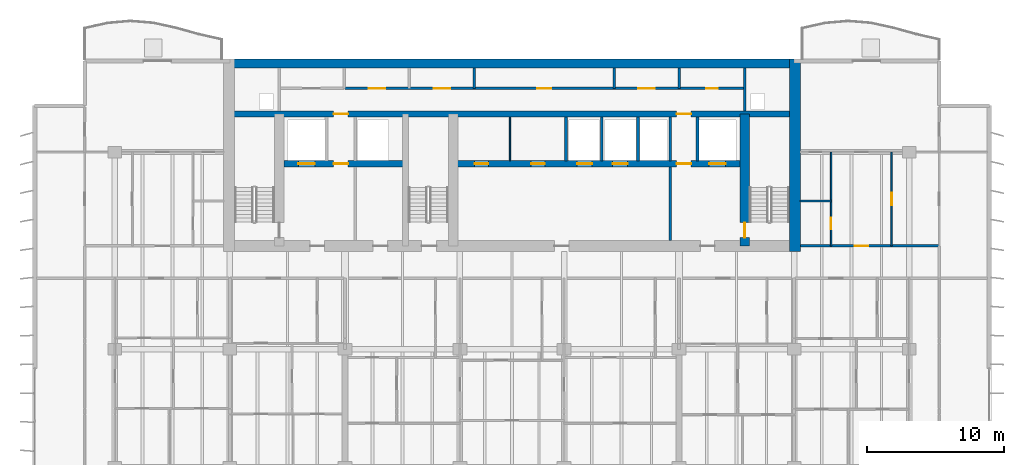
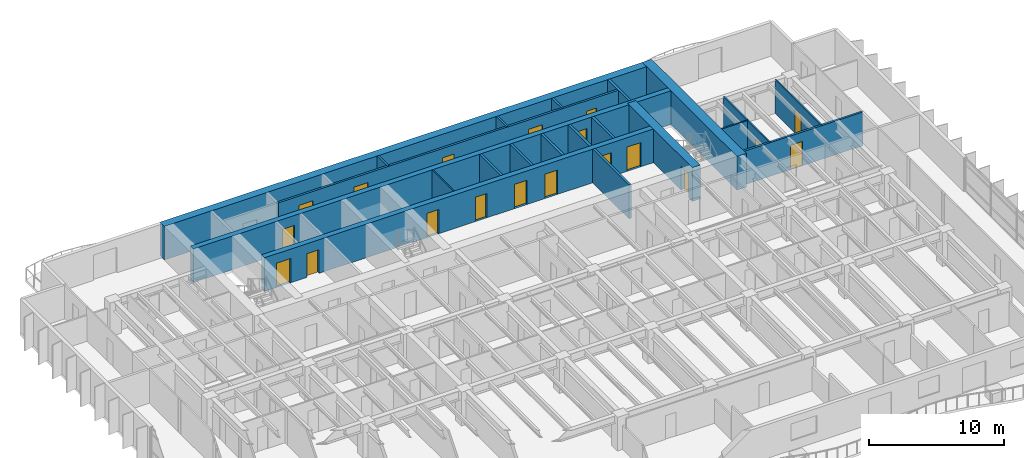
# One storey, part 11 of 17: 21 walls, 19 doors, 19 openings.
"""IFC4 building model written with IfcOpenShell, lengths in metres."""

from ifc_helpers import new_model, si_unit, direction, frame, frame_2d, origin, place, context, subcontext, project, spatial, rectangle, extrude, material, layer, layer_set, type_object, element, fill, save


model = new_model("IFC4")

# Units and contexts
model_context = context("Model", 3, precision=1e-05, world=origin(), true_north=direction((0.0, 1.0)))
body_context = subcontext(model_context, "Body", "Model", "MODEL_VIEW")
ifc_project = project(units=[si_unit("LENGTHUNIT", "METRE"), si_unit("AREAUNIT", "SQUARE_METRE"), si_unit("VOLUMEUNIT", "CUBIC_METRE"), si_unit("PLANEANGLEUNIT", "RADIAN"), si_unit("MASSUNIT", "GRAM", prefix="KILO")], contexts=[model_context])

# Site, building, storey
site_placement = place(None, origin())
site = spatial("IfcSite", under=ifc_project, at=site_placement, CompositionType="ELEMENT")
building_placement = place(site_placement, origin())
building = spatial("IfcBuilding", under=site, at=building_placement, Name="Caelmar Bay Residences", CompositionType="ELEMENT")
storey_placement = place(building_placement, frame((0.0, 0.0, 109.199951171875)))
storey = spatial("IfcBuildingStorey", under=building, at=storey_placement, Name="L29", CompositionType="ELEMENT", Elevation=109.199951171875)

# Wall, opening, door
ifc_material_1 = material(Name="Concrete f'c 55 MPa (8,000 psi)", Category="concrete")
ifc_layer_1 = layer(ifc_material_1, 0.699951171875)
ifc_layer_set_1 = layer_set([ifc_layer_1], Name="Concrete f'c 55 MPa (8,000 psi)")
wall_type_1 = type_object("IfcWallType", Name="SW-COR-700", PredefinedType="SHEAR", material=ifc_layer_set_1)
wall_1_placement = place(storey_placement, frame((55.89990234375, 36.949951171875, 0.0), z_axis=(0.0, 0.0, 1.0), x_axis=(0.0, 1.0, 0.0)))
wall_1 = element("IfcWall", 1, at=wall_1_placement, inside=storey, type_object=wall_type_1, Name="L29 Core Structural Web Wall ST2W", PredefinedType="SHEAR", context=body_context, shape_type="SweptSolid", body=[
    extrude(rectangle(XDim=9.625, YDim=0.699951171875, at=frame_2d((4.8125, 0.0))), origin(), (0.0, 0.0, 1.0), 3.050048828125),
])
opening_1_placement = place(wall_1_placement, frame((0.60009765625, 0.0, 0.0)))
opening_1 = element("IfcOpeningElement", 2, at=opening_1_placement, cuts=wall_1, Name="Opening D-L29-110", PredefinedType="OPENING", context=body_context, shape_type="SweptSolid", body=[
    extrude(rectangle(XDim=1.10009765625, YDim=2.14990234375, at=frame_2d((0.550048828125, 1.074951171875))), frame((0.0, 0.35986328125, 0.0), z_axis=(0.0, -1.0, 0.0), x_axis=(1.0, 0.0, 0.0)), (0.0, 0.0, 1.0), 0.719970703125),
])
ifc_material_2 = material(Name="Fire-rated steel and walnut architectural door assembly", Category="steel")
ifc_layer_2 = layer(ifc_material_2, 0.050048828125)
ifc_layer_set_2 = layer_set([ifc_layer_2], Name="Fire-rated steel and walnut architectural door assembly")
door_type_1 = type_object("IfcDoorType", Name="D-STAIR-1100", OperationType="NOTDEFINED", PredefinedType="DOOR", material=ifc_layer_set_2)
door_1_placement = place(opening_1_placement, origin())
door_1 = element("IfcDoor", 3, at=door_1_placement, inside=storey, type_object=door_type_1, Name="L29 Firefighting Lobby East Door", OperationType="SINGLE_SWING_RIGHT", OverallHeight=2.14990234375, OverallWidth=1.10009765625, PredefinedType="DOOR", context=body_context, shape_type="SweptSolid", body=[
    extrude(rectangle(XDim=1.10009765625, YDim=2.14990234375, at=frame_2d((0.550048828125, 1.074951171875))), frame((0.0, 0.02490234375, 0.0), z_axis=(0.0, -1.0, 0.0), x_axis=(1.0, 0.0, 0.0)), (0.0, 0.0, 1.0), 0.050048828125),
])
fill(opening_1, door_1)

# Walls
ifc_material_3 = material(Name="Concrete f'c 70 MPa (10,000 psi)", Category="concrete")
ifc_layer_3 = layer(ifc_material_3, 0.800048828125)
ifc_layer_set_3 = layer_set([ifc_layer_3], Name="Concrete f'c 70 MPa (10,000 psi)")
wall_type_2 = type_object("IfcWallType", Name="SW-COR-800", PredefinedType="SHEAR", material=ifc_layer_set_3)
wall_2_placement = place(storey_placement, frame((59.550048828125, 36.550048828125, 0.0), z_axis=(0.0, 0.0, 1.0), x_axis=(0.0, 1.0, 0.0)))
element("IfcWall", 4, at=wall_2_placement, inside=storey, type_object=wall_type_2, Name="L29 Rear Core East Shear Wall", PredefinedType="SHEAR", context=body_context, shape_type="SweptSolid", body=[
    extrude(rectangle(XDim=14.050048828125, YDim=0.800048828125, at=frame_2d((7.02490234375, 0.0))), origin(), (0.0, 0.0, 1.0), 3.050048828125),
])
ifc_layer_4 = layer(ifc_material_1, 0.64990234375)
ifc_layer_set_4 = layer_set([ifc_layer_4], Name="Concrete f'c 55 MPa (8,000 psi)")
wall_type_3 = type_object("IfcWallType", Name="SW-CORN-650", PredefinedType="SHEAR", material=ifc_layer_set_4)
wall_3_placement = place(storey_placement, frame((17.85009765625, 50.27490234375, 0.0), z_axis=(0.0, 0.0, 1.0), x_axis=(1.0, 0.0, 0.0)))
element("IfcWall", 5, at=wall_3_placement, inside=storey, type_object=wall_type_3, Name="L29 Rear Core North Shear Wall", PredefinedType="SHEAR", context=body_context, shape_type="SweptSolid", body=[
    extrude(rectangle(XDim=42.099853515625, YDim=0.64990234375, at=frame_2d((21.0498046875, 0.0))), origin(), (0.0, 0.0, 1.0), 3.050048828125),
])

# Wall, openings, doors
ifc_layer_5 = layer(ifc_material_3, 0.449951171875)
ifc_layer_set_5 = layer_set([ifc_layer_5], Name="Concrete f'c 70 MPa (10,000 psi)")
wall_type_4 = type_object("IfcWallType", Name="SW-WEB-450", PredefinedType="SHEAR", material=ifc_layer_set_5)
wall_4_placement = place(storey_placement, frame((22.25, 42.949951171875, 0.0), z_axis=(0.0, 0.0, 1.0), x_axis=(1.0, 0.0, 0.0)))
wall_4 = element("IfcWall", 6, at=wall_4_placement, inside=storey, type_object=wall_type_4, Name="L29 Core Structural Web Wall LFR", PredefinedType="SHEAR", context=body_context, shape_type="SweptSolid", body=[
    extrude(rectangle(XDim=33.300048828125, YDim=0.449951171875, at=frame_2d((16.64990234375, 0.0))), origin(), (0.0, 0.0, 1.0), 3.050048828125),
])
opening_2_placement = place(wall_4_placement, frame((1.050048828125, 0.0, 0.0)))
opening_2 = element("IfcOpeningElement", 7, at=opening_2_placement, cuts=wall_4, Name="Opening LD2", PredefinedType="OPENING", context=body_context, shape_type="SweptSolid", body=[
    extrude(rectangle(XDim=1.199951171875, YDim=2.199951171875, at=frame_2d((0.60009765625, 1.10009765625))), frame((0.0, 0.23486328125, 0.0), z_axis=(0.0, -1.0, 0.0), x_axis=(1.0, 0.0, 0.0)), (0.0, 0.0, 1.0), 0.469970703125),
])
opening_3_placement = place(wall_4_placement, frame((31.050048828125, 0.0, 0.0)))
opening_3 = element("IfcOpeningElement", 8, at=opening_3_placement, cuts=wall_4, Name="Opening LD2", PredefinedType="OPENING", context=body_context, shape_type="SweptSolid", body=[
    extrude(rectangle(XDim=1.199951171875, YDim=2.199951171875, at=frame_2d((0.60009765625, 1.10009765625))), frame((0.0, 0.23486328125, 0.0), z_axis=(0.0, -1.0, 0.0), x_axis=(1.0, 0.0, 0.0)), (0.0, 0.0, 1.0), 0.469970703125),
])
opening_4_placement = place(wall_4_placement, frame((21.39990234375, 0.0, 0.0)))
opening_4 = element("IfcOpeningElement", 9, at=opening_4_placement, cuts=wall_4, Name="Opening LD1", PredefinedType="OPENING", context=body_context, shape_type="SweptSolid", body=[
    extrude(rectangle(XDim=1.10009765625, YDim=2.199951171875, at=frame_2d((0.550048828125, 1.10009765625))), frame((0.0, 0.23486328125, 0.0), z_axis=(0.0, -1.0, 0.0), x_axis=(1.0, 0.0, 0.0)), (0.0, 0.0, 1.0), 0.469970703125),
])
opening_5_placement = place(wall_4_placement, frame((24.0, 0.0, 0.0)))
opening_5 = element("IfcOpeningElement", 10, at=opening_5_placement, cuts=wall_4, Name="Opening LD1", PredefinedType="OPENING", context=body_context, shape_type="SweptSolid", body=[
    extrude(rectangle(XDim=1.10009765625, YDim=2.199951171875, at=frame_2d((0.550048828125, 1.10009765625))), frame((0.0, 0.23486328125, 0.0), z_axis=(0.0, -1.0, 0.0), x_axis=(1.0, 0.0, 0.0)), (0.0, 0.0, 1.0), 0.469970703125),
])
opening_6_placement = place(wall_4_placement, frame((3.625, 0.0, 0.0)))
opening_6 = element("IfcOpeningElement", 11, at=opening_6_placement, cuts=wall_4, Name="Opening D-L29-108", PredefinedType="OPENING", context=body_context, shape_type="SweptSolid", body=[
    extrude(rectangle(XDim=1.050048828125, YDim=2.14990234375, at=frame_2d((0.52490234375, 1.074951171875))), frame((0.0, 0.23486328125, 0.0), z_axis=(0.0, -1.0, 0.0), x_axis=(1.0, 0.0, 0.0)), (0.0, 0.0, 1.0), 0.469970703125),
])
opening_7_placement = place(wall_4_placement, frame((28.675048828125, 0.0, 0.0)))
opening_7 = element("IfcOpeningElement", 12, at=opening_7_placement, cuts=wall_4, Name="Opening D-L29-111", PredefinedType="OPENING", context=body_context, shape_type="SweptSolid", body=[
    extrude(rectangle(XDim=1.050048828125, YDim=2.14990234375, at=frame_2d((0.52490234375, 1.074951171875))), frame((0.0, 0.23486328125, 0.0), z_axis=(0.0, -1.0, 0.0), x_axis=(1.0, 0.0, 0.0)), (0.0, 0.0, 1.0), 0.469970703125),
])
opening_8_placement = place(wall_4_placement, frame((13.925048828125, 0.0, 0.0)))
opening_8 = element("IfcOpeningElement", 13, at=opening_8_placement, cuts=wall_4, Name="Opening D-L29-114", PredefinedType="OPENING", context=body_context, shape_type="SweptSolid", body=[
    extrude(rectangle(XDim=1.0, YDim=2.199951171875, at=frame_2d((0.5, 1.10009765625))), frame((0.0, 0.23486328125, 0.0), z_axis=(0.0, -1.0, 0.0), x_axis=(1.0, 0.0, 0.0)), (0.0, 0.0, 1.0), 0.469970703125),
])
opening_9_placement = place(wall_4_placement, frame((18.050048828125, 0.0, 0.0)))
opening_9 = element("IfcOpeningElement", 14, at=opening_9_placement, cuts=wall_4, Name="Opening D-L29-115", PredefinedType="OPENING", context=body_context, shape_type="SweptSolid", body=[
    extrude(rectangle(XDim=1.0, YDim=2.199951171875, at=frame_2d((0.5, 1.10009765625))), frame((0.0, 0.23486328125, 0.0), z_axis=(0.0, -1.0, 0.0), x_axis=(1.0, 0.0, 0.0)), (0.0, 0.0, 1.0), 0.469970703125),
])
ifc_layer_6 = layer(ifc_material_2, 0.050048828125)
ifc_layer_set_6 = layer_set([ifc_layer_6], Name="Fire-rated steel and walnut architectural door assembly")
door_type_2 = type_object("IfcDoorType", Name="D-FSAE-1050", OperationType="NOTDEFINED", PredefinedType="DOOR", material=ifc_layer_set_6)
door_2_placement = place(opening_6_placement, origin())
door_2 = element("IfcDoor", 15, at=door_2_placement, inside=storey, type_object=door_type_2, Name="L29 Firefighting Lobby West Door", OperationType="SINGLE_SWING_RIGHT", OverallHeight=2.14990234375, OverallWidth=1.050048828125, PredefinedType="DOOR", context=body_context, shape_type="SweptSolid", body=[
    extrude(rectangle(XDim=1.050048828125, YDim=2.14990234375, at=frame_2d((0.52490234375, 1.074951171875))), frame((0.0, 0.02490234375, 0.0), z_axis=(0.0, -1.0, 0.0), x_axis=(1.0, 0.0, 0.0)), (0.0, 0.0, 1.0), 0.050048828125),
])
fill(opening_6, door_2)
door_3_placement = place(opening_7_placement, origin())
door_3 = element("IfcDoor", 16, at=door_3_placement, inside=storey, type_object=door_type_2, Name="L29 Firefighting Lobby East Door", OperationType="SINGLE_SWING_LEFT", OverallHeight=2.14990234375, OverallWidth=1.050048828125, PredefinedType="DOOR", context=body_context, shape_type="SweptSolid", body=[
    extrude(rectangle(XDim=1.050048828125, YDim=2.14990234375, at=frame_2d((0.52490234375, 1.074951171875))), frame((0.0, 0.02490234375, 0.0), z_axis=(0.0, -1.0, 0.0), x_axis=(1.0, 0.0, 0.0)), (0.0, 0.0, 1.0), 0.050048828125),
])
fill(opening_7, door_3)
ifc_material_4 = material(Name="Brushed bronze stainless-steel fire-rated lift landing doors", Category="steel")
ifc_layer_7 = layer(ifc_material_4, 0.050048828125)
ifc_layer_set_7 = layer_set([ifc_layer_7], Name="Brushed bronze stainless-steel fire-rated lift landing doors")
door_type_3 = type_object("IfcDoorType", Name="D-LND-1100", OperationType="DOUBLE_DOOR_SLIDING", PredefinedType="DOOR", material=ifc_layer_set_7)
door_4_placement = place(opening_4_placement, origin())
door_4 = element("IfcDoor", 17, at=door_4_placement, inside=storey, type_object=door_type_3, Name="L29 LP4 Sliding Landing Door", OperationType="DOUBLE_DOOR_SLIDING", OverallHeight=2.199951171875, OverallWidth=1.10009765625, PredefinedType="DOOR", context=body_context, shape_type="SweptSolid", body=[
    extrude(rectangle(XDim=1.10009765625, YDim=2.199951171875, at=frame_2d((0.550048828125, 1.10009765625))), frame((0.0, 0.02490234375, 0.0), z_axis=(0.0, -1.0, 0.0), x_axis=(1.0, 0.0, 0.0)), (0.0, 0.0, 1.0), 0.050048828125),
])
fill(opening_4, door_4)
door_5_placement = place(opening_5_placement, origin())
door_5 = element("IfcDoor", 18, at=door_5_placement, inside=storey, type_object=door_type_3, Name="L29 LP5 Sliding Landing Door", OperationType="DOUBLE_DOOR_SLIDING", OverallHeight=2.199951171875, OverallWidth=1.10009765625, PredefinedType="DOOR", context=body_context, shape_type="SweptSolid", body=[
    extrude(rectangle(XDim=1.10009765625, YDim=2.199951171875, at=frame_2d((0.550048828125, 1.10009765625))), frame((0.0, 0.02490234375, 0.0), z_axis=(0.0, -1.0, 0.0), x_axis=(1.0, 0.0, 0.0)), (0.0, 0.0, 1.0), 0.050048828125),
])
fill(opening_5, door_5)
ifc_material_5 = material(Name="Brushed stainless-steel FSAE sliding landing door", Category="steel")
ifc_layer_8 = layer(ifc_material_5, 0.050048828125)
ifc_layer_set_8 = layer_set([ifc_layer_8], Name="Brushed stainless-steel FSAE sliding landing door")
door_type_4 = type_object("IfcDoorType", Name="D-LND-1200", OperationType="DOUBLE_DOOR_SLIDING", PredefinedType="DOOR", material=ifc_layer_set_8)
door_6_placement = place(opening_2_placement, origin())
door_6 = element("IfcDoor", 19, at=door_6_placement, inside=storey, type_object=door_type_4, Name="L29 LF1 Sliding Landing Door", OperationType="DOUBLE_DOOR_SLIDING", OverallHeight=2.199951171875, OverallWidth=1.199951171875, PredefinedType="DOOR", context=body_context, shape_type="SweptSolid", body=[
    extrude(rectangle(XDim=1.199951171875, YDim=2.199951171875, at=frame_2d((0.60009765625, 1.10009765625))), frame((0.0, 0.02490234375, 0.0), z_axis=(0.0, -1.0, 0.0), x_axis=(1.0, 0.0, 0.0)), (0.0, 0.0, 1.0), 0.050048828125),
])
fill(opening_2, door_6)
door_7_placement = place(opening_3_placement, origin())
door_7 = element("IfcDoor", 20, at=door_7_placement, inside=storey, type_object=door_type_4, Name="L29 LF2 Sliding Landing Door", OperationType="DOUBLE_DOOR_SLIDING", OverallHeight=2.199951171875, OverallWidth=1.199951171875, PredefinedType="DOOR", context=body_context, shape_type="SweptSolid", body=[
    extrude(rectangle(XDim=1.199951171875, YDim=2.199951171875, at=frame_2d((0.60009765625, 1.10009765625))), frame((0.0, 0.02490234375, 0.0), z_axis=(0.0, -1.0, 0.0), x_axis=(1.0, 0.0, 0.0)), (0.0, 0.0, 1.0), 0.050048828125),
])
fill(opening_3, door_7)
ifc_layer_9 = layer(ifc_material_2, 0.050048828125)
ifc_layer_set_9 = layer_set([ifc_layer_9], Name="Fire-rated steel and walnut architectural door assembly")
door_type_5 = type_object("IfcDoorType", Name="D-UNIT-1000", OperationType="NOTDEFINED", PredefinedType="DOOR", material=ifc_layer_set_9)
door_8_placement = place(opening_8_placement, origin())
door_8 = element("IfcDoor", 21, at=door_8_placement, inside=storey, type_object=door_type_5, Name="L29 Residents Study Room Door", OperationType="SINGLE_SWING_RIGHT", OverallHeight=2.199951171875, OverallWidth=1.0, PredefinedType="DOOR", context=body_context, shape_type="SweptSolid", body=[
    extrude(rectangle(XDim=1.0, YDim=2.199951171875, at=frame_2d((0.5, 1.10009765625))), frame((0.0, 0.02490234375, 0.0), z_axis=(0.0, -1.0, 0.0), x_axis=(1.0, 0.0, 0.0)), (0.0, 0.0, 1.0), 0.050048828125),
])
fill(opening_8, door_8)
door_9_placement = place(opening_9_placement, origin())
door_9 = element("IfcDoor", 22, at=door_9_placement, inside=storey, type_object=door_type_5, Name="L29 Wine Tasting Room Door", OperationType="SINGLE_SWING_LEFT", OverallHeight=2.199951171875, OverallWidth=1.0, PredefinedType="DOOR", context=body_context, shape_type="SweptSolid", body=[
    extrude(rectangle(XDim=1.0, YDim=2.199951171875, at=frame_2d((0.5, 1.10009765625))), frame((0.0, 0.02490234375, 0.0), z_axis=(0.0, -1.0, 0.0), x_axis=(1.0, 0.0, 0.0)), (0.0, 0.0, 1.0), 0.050048828125),
])
fill(opening_9, door_9)

wall_5_placement = place(storey_placement, frame((18.25, 46.574951171875, 0.0), z_axis=(0.0, 0.0, 1.0), x_axis=(1.0, 0.0, 0.0)))
wall_5 = element("IfcWall", 23, at=wall_5_placement, inside=storey, type_object=wall_type_4, Name="L29 Core Structural Web Wall SRVS", PredefinedType="SHEAR", context=body_context, shape_type="SweptSolid", body=[
    extrude(rectangle(XDim=41.300048828125, YDim=0.449951171875, at=frame_2d((20.64990234375, 0.0))), origin(), (0.0, 0.0, 1.0), 3.050048828125),
])
opening_10_placement = place(wall_5_placement, frame((7.625, 0.0, 0.0)))
opening_10 = element("IfcOpeningElement", 24, at=opening_10_placement, cuts=wall_5, Name="Opening D-L29-116", PredefinedType="OPENING", context=body_context, shape_type="SweptSolid", body=[
    extrude(rectangle(XDim=1.050048828125, YDim=2.14990234375, at=frame_2d((0.52490234375, 1.074951171875))), frame((0.0, 0.23486328125, 0.0), z_axis=(0.0, -1.0, 0.0), x_axis=(1.0, 0.0, 0.0)), (0.0, 0.0, 1.0), 0.469970703125),
])
opening_11_placement = place(wall_5_placement, frame((32.675048828125, 0.0, 0.0)))
opening_11 = element("IfcOpeningElement", 25, at=opening_11_placement, cuts=wall_5, Name="Opening D-L29-117", PredefinedType="OPENING", context=body_context, shape_type="SweptSolid", body=[
    extrude(rectangle(XDim=1.050048828125, YDim=2.14990234375, at=frame_2d((0.52490234375, 1.074951171875))), frame((0.0, 0.23486328125, 0.0), z_axis=(0.0, -1.0, 0.0), x_axis=(1.0, 0.0, 0.0)), (0.0, 0.0, 1.0), 0.469970703125),
])
door_10_placement = place(opening_10_placement, origin())
door_10 = element("IfcDoor", 26, at=door_10_placement, inside=storey, type_object=door_type_2, Name="L29 Core Service Corridor Door", OperationType="SINGLE_SWING_RIGHT", OverallHeight=2.14990234375, OverallWidth=1.050048828125, PredefinedType="DOOR", context=body_context, shape_type="SweptSolid", body=[
    extrude(rectangle(XDim=1.050048828125, YDim=2.14990234375, at=frame_2d((0.52490234375, 1.074951171875))), frame((0.0, 0.02490234375, 0.0), z_axis=(0.0, -1.0, 0.0), x_axis=(1.0, 0.0, 0.0)), (0.0, 0.0, 1.0), 0.050048828125),
])
fill(opening_10, door_10)
door_11_placement = place(opening_11_placement, origin())
door_11 = element("IfcDoor", 27, at=door_11_placement, inside=storey, type_object=door_type_2, Name="L29 Core Service Corridor Door", OperationType="SINGLE_SWING_LEFT", OverallHeight=2.14990234375, OverallWidth=1.050048828125, PredefinedType="DOOR", context=body_context, shape_type="SweptSolid", body=[
    extrude(rectangle(XDim=1.050048828125, YDim=2.14990234375, at=frame_2d((0.52490234375, 1.074951171875))), frame((0.0, 0.02490234375, 0.0), z_axis=(0.0, -1.0, 0.0), x_axis=(1.0, 0.0, 0.0)), (0.0, 0.0, 1.0), 0.050048828125),
])
fill(opening_11, door_11)

# Walls
ifc_material_6 = material(Name="Double-stud acoustic fire-rated gypsum partition 180 mm")
ifc_layer_10 = layer(ifc_material_6, 0.179931640625)
ifc_layer_set_10 = layer_set([ifc_layer_10], Name="Double-stud acoustic fire-rated gypsum partition 180 mm")
wall_type_5 = type_object("IfcWallType", Name="W-COR-200", PredefinedType="PARTITIONING", material=ifc_layer_set_10)
for number, where, z_axis, x_axis, name in (
    (28, (36.14990234375, 48.449951171875, 0.0), (0.0, 0.0, 1.0), (0.0, 1.0, 0.0), "L29 Partition Wall V058"),
    (29, (46.35009765625, 48.449951171875, 0.0), (0.0, 0.0, 1.0), (0.0, 1.0, 0.0), "L29 Partition Wall V071"),
    (30, (51.10009765625, 48.449951171875, 0.0), (0.0, 0.0, 1.0), (0.0, 1.0, 0.0), "L29 Partition Wall V083"),
):
    element("IfcWall", number, at=place(storey_placement, frame(where, z_axis=z_axis, x_axis=x_axis)), inside=storey, type_object=wall_type_5, Name=name, PredefinedType="PARTITIONING", context=body_context, shape_type="SweptSolid", body=[
        extrude(rectangle(XDim=1.505126953125, YDim=0.179931640625, at=frame_2d((0.75244140625, 0.0))), origin(), (0.0, 0.0, 1.0), 3.050048828125),
    ])

# Wall, opening, door
wall_6_placement = place(storey_placement, frame((59.955078125, 36.949951171875, 0.0), z_axis=(0.0, 0.0, 1.0), x_axis=(1.0, 0.0, 0.0)))
wall_6 = element("IfcWall", 31, at=wall_6_placement, inside=storey, type_object=wall_type_5, Name="L29 Partition Wall H146", PredefinedType="PARTITIONING", context=body_context, shape_type="SweptSolid", body=[
    extrude(rectangle(XDim=10.14501953125, YDim=0.179931640625, at=frame_2d((5.072509765625, 0.0))), origin(), (0.0, 0.0, 1.0), 3.050048828125),
])
opening_12_placement = place(wall_6_placement, frame((3.95703125, 0.0, 0.0)))
opening_12 = element("IfcOpeningElement", 32, at=opening_12_placement, cuts=wall_6, Name="Opening D-L29-179", PredefinedType="OPENING", context=body_context, shape_type="SweptSolid", body=[
    extrude(rectangle(XDim=1.0, YDim=2.199951171875, at=frame_2d((0.5, 1.10009765625))), frame((0.0, 0.099853515625, 0.0), z_axis=(0.0, -1.0, 0.0), x_axis=(1.0, 0.0, 0.0)), (0.0, 0.0, 1.0), 0.199951171875),
])
door_12_placement = place(opening_12_placement, origin())
door_12 = element("IfcDoor", 33, at=door_12_placement, inside=storey, type_object=door_type_5, Name="L29 Residence EA Kitchen Door", OperationType="SINGLE_SWING_LEFT", OverallHeight=2.199951171875, OverallWidth=1.0, PredefinedType="DOOR", context=body_context, shape_type="SweptSolid", body=[
    extrude(rectangle(XDim=1.0, YDim=2.199951171875, at=frame_2d((0.5, 1.10009765625))), frame((0.0, 0.02490234375, 0.0), z_axis=(0.0, -1.0, 0.0), x_axis=(1.0, 0.0, 0.0)), (0.0, 0.0, 1.0), 0.050048828125),
])
fill(opening_12, door_12)

# Wall, openings, doors
wall_7_placement = place(storey_placement, frame((26.699951171875, 48.449951171875, 0.0), z_axis=(0.0, 0.0, 1.0), x_axis=(1.0, 0.0, 0.0)))
wall_7 = element("IfcWall", 34, at=wall_7_placement, inside=storey, type_object=wall_type_5, Name="L29 Partition Wall H152", PredefinedType="PARTITIONING", context=body_context, shape_type="SweptSolid", body=[
    extrude(rectangle(XDim=29.199951171875, YDim=0.179931640625, at=frame_2d((14.60009765625, 0.0))), origin(), (0.0, 0.0, 1.0), 3.050048828125),
])
opening_13_placement = place(wall_7_placement, frame((1.75, 0.0, 0.0)))
opening_13 = element("IfcOpeningElement", 35, at=opening_13_placement, cuts=wall_7, Name="Opening D-L29-119", PredefinedType="OPENING", context=body_context, shape_type="SweptSolid", body=[
    extrude(rectangle(XDim=1.199951171875, YDim=2.199951171875, at=frame_2d((0.60009765625, 1.10009765625))), frame((0.0, 0.099853515625, 0.0), z_axis=(0.0, -1.0, 0.0), x_axis=(1.0, 0.0, 0.0)), (0.0, 0.0, 1.0), 0.199951171875),
])
opening_14_placement = place(wall_7_placement, frame((6.47509765625, 0.0, 0.0)))
opening_14 = element("IfcOpeningElement", 36, at=opening_14_placement, cuts=wall_7, Name="Opening D-L29-120", PredefinedType="OPENING", context=body_context, shape_type="SweptSolid", body=[
    extrude(rectangle(XDim=1.199951171875, YDim=2.199951171875, at=frame_2d((0.60009765625, 1.10009765625))), frame((0.0, 0.099853515625, 0.0), z_axis=(0.0, -1.0, 0.0), x_axis=(1.0, 0.0, 0.0)), (0.0, 0.0, 1.0), 0.199951171875),
])
opening_15_placement = place(wall_7_placement, frame((14.050048828125, 0.0, 0.0)))
opening_15 = element("IfcOpeningElement", 37, at=opening_15_placement, cuts=wall_7, Name="Opening D-L29-121", PredefinedType="OPENING", context=body_context, shape_type="SweptSolid", body=[
    extrude(rectangle(XDim=1.0, YDim=2.199951171875, at=frame_2d((0.5, 1.10009765625))), frame((0.0, 0.099853515625, 0.0), z_axis=(0.0, -1.0, 0.0), x_axis=(1.0, 0.0, 0.0)), (0.0, 0.0, 1.0), 0.199951171875),
])
opening_16_placement = place(wall_7_placement, frame((21.425048828125, 0.0, 0.0)))
opening_16 = element("IfcOpeningElement", 38, at=opening_16_placement, cuts=wall_7, Name="Opening D-L29-122", PredefinedType="OPENING", context=body_context, shape_type="SweptSolid", body=[
    extrude(rectangle(XDim=1.199951171875, YDim=2.199951171875, at=frame_2d((0.60009765625, 1.10009765625))), frame((0.0, 0.099853515625, 0.0), z_axis=(0.0, -1.0, 0.0), x_axis=(1.0, 0.0, 0.0)), (0.0, 0.0, 1.0), 0.199951171875),
])
opening_17_placement = place(wall_7_placement, frame((26.375, 0.0, 0.0)))
opening_17 = element("IfcOpeningElement", 39, at=opening_17_placement, cuts=wall_7, Name="Opening D-L29-123", PredefinedType="OPENING", context=body_context, shape_type="SweptSolid", body=[
    extrude(rectangle(XDim=0.85009765625, YDim=2.10009765625, at=frame_2d((0.425048828125, 1.050048828125))), frame((0.0, 0.099853515625, 0.0), z_axis=(0.0, -1.0, 0.0), x_axis=(1.0, 0.0, 0.0)), (0.0, 0.0, 1.0), 0.199951171875),
])
ifc_layer_11 = layer(ifc_material_2, 0.050048828125)
ifc_layer_set_11 = layer_set([ifc_layer_11], Name="Fire-rated steel and walnut architectural door assembly")
door_type_6 = type_object("IfcDoorType", Name="D-CORE-850", OperationType="NOTDEFINED", PredefinedType="DOOR", material=ifc_layer_set_11)
door_13_placement = place(opening_17_placement, origin())
door_13 = element("IfcDoor", 40, at=door_13_placement, inside=storey, type_object=door_type_6, Name="L29 Staff Restroom Door", OperationType="SINGLE_SWING_LEFT", OverallHeight=2.10009765625, OverallWidth=0.85009765625, PredefinedType="DOOR", context=body_context, shape_type="SweptSolid", body=[
    extrude(rectangle(XDim=0.85009765625, YDim=2.10009765625, at=frame_2d((0.425048828125, 1.050048828125))), frame((0.0, 0.02490234375, 0.0), z_axis=(0.0, -1.0, 0.0), x_axis=(1.0, 0.0, 0.0)), (0.0, 0.0, 1.0), 0.050048828125),
])
fill(opening_17, door_13)
ifc_layer_12 = layer(ifc_material_2, 0.050048828125)
ifc_layer_set_12 = layer_set([ifc_layer_12], Name="Fire-rated steel and walnut architectural door assembly")
door_type_7 = type_object("IfcDoorType", Name="D-PLANT-1200", OperationType="NOTDEFINED", PredefinedType="DOOR", material=ifc_layer_set_12)
door_14_placement = place(opening_13_placement, origin())
door_14 = element("IfcDoor", 41, at=door_14_placement, inside=storey, type_object=door_type_7, Name="L29 Water Meter Closet Door", OperationType="SINGLE_SWING_LEFT", OverallHeight=2.199951171875, OverallWidth=1.199951171875, PredefinedType="DOOR", context=body_context, shape_type="SweptSolid", body=[
    extrude(rectangle(XDim=1.199951171875, YDim=2.199951171875, at=frame_2d((0.60009765625, 1.10009765625))), frame((0.0, 0.02490234375, 0.0), z_axis=(0.0, -1.0, 0.0), x_axis=(1.0, 0.0, 0.0)), (0.0, 0.0, 1.0), 0.050048828125),
])
fill(opening_13, door_14)
door_15_placement = place(opening_14_placement, origin())
door_15 = element("IfcDoor", 42, at=door_15_placement, inside=storey, type_object=door_type_7, Name="L29 Low-Voltage Data Closet Door", OperationType="SINGLE_SWING_RIGHT", OverallHeight=2.199951171875, OverallWidth=1.199951171875, PredefinedType="DOOR", context=body_context, shape_type="SweptSolid", body=[
    extrude(rectangle(XDim=1.199951171875, YDim=2.199951171875, at=frame_2d((0.60009765625, 1.10009765625))), frame((0.0, 0.02490234375, 0.0), z_axis=(0.0, -1.0, 0.0), x_axis=(1.0, 0.0, 0.0)), (0.0, 0.0, 1.0), 0.050048828125),
])
fill(opening_14, door_15)
door_16_placement = place(opening_16_placement, origin())
door_16 = element("IfcDoor", 43, at=door_16_placement, inside=storey, type_object=door_type_7, Name="L29 Valet Trunk Closet Door", OperationType="SINGLE_SWING_RIGHT", OverallHeight=2.199951171875, OverallWidth=1.199951171875, PredefinedType="DOOR", context=body_context, shape_type="SweptSolid", body=[
    extrude(rectangle(XDim=1.199951171875, YDim=2.199951171875, at=frame_2d((0.60009765625, 1.10009765625))), frame((0.0, 0.02490234375, 0.0), z_axis=(0.0, -1.0, 0.0), x_axis=(1.0, 0.0, 0.0)), (0.0, 0.0, 1.0), 0.050048828125),
])
fill(opening_16, door_16)
door_17_placement = place(opening_15_placement, origin())
door_17 = element("IfcDoor", 44, at=door_17_placement, inside=storey, type_object=door_type_5, Name="L29 Mail Sorting Office Door", OperationType="SINGLE_SWING_LEFT", OverallHeight=2.199951171875, OverallWidth=1.0, PredefinedType="DOOR", context=body_context, shape_type="SweptSolid", body=[
    extrude(rectangle(XDim=1.0, YDim=2.199951171875, at=frame_2d((0.5, 1.10009765625))), frame((0.0, 0.02490234375, 0.0), z_axis=(0.0, -1.0, 0.0), x_axis=(1.0, 0.0, 0.0)), (0.0, 0.0, 1.0), 0.050048828125),
])
fill(opening_15, door_17)

# Walls
ifc_material_7 = material(Name="Fire-rated masonry and gypsum shaftliner assembly 200 mm", Category="masonry")
ifc_layer_13 = layer(ifc_material_7, 0.199951171875)
ifc_layer_set_13 = layer_set([ifc_layer_13], Name="Fire-rated masonry and gypsum shaftliner assembly 200 mm")
wall_type_6 = type_object("IfcWallType", Name="W-FSAE-200", PredefinedType="PARTITIONING", material=ifc_layer_set_13)
for number, where, z_axis, x_axis, name in (
    (45, (42.85009765625, 43.169921875, 0.0), (0.0, 0.0, 1.0), (0.0, 1.0, 0.0), "L29 Partition Wall V069"),
    (46, (45.449951171875, 43.169921875, 0.0), (0.0, 0.0, 1.0), (0.0, 1.0, 0.0), "L29 Partition Wall V070"),
    (47, (48.10009765625, 43.169921875, 0.0), (0.0, 0.0, 1.0), (0.0, 1.0, 0.0), "L29 Partition Wall V072"),
):
    element("IfcWall", number, at=place(storey_placement, frame(where, z_axis=z_axis, x_axis=x_axis)), inside=storey, type_object=wall_type_6, Name=name, PredefinedType="PARTITIONING", context=body_context, shape_type="SweptSolid", body=[
        extrude(rectangle(XDim=3.18505859375, YDim=0.199951171875, at=frame_2d((1.592529296875, 0.0))), origin(), (0.0, 0.0, 1.0), 3.050048828125),
    ])
wall_8_placement = place(storey_placement, frame((50.449951171875, 37.344970703125, 0.0), z_axis=(0.0, 0.0, 1.0), x_axis=(0.0, 1.0, 0.0)))
element("IfcWall", 48, at=wall_8_placement, inside=storey, type_object=wall_type_6, Name="L29 Partition Wall V076", PredefinedType="PARTITIONING", context=body_context, shape_type="SweptSolid", body=[
    extrude(rectangle(XDim=5.385009765625, YDim=0.199951171875, at=frame_2d((2.6923828125, 0.0))), origin(), (0.0, 0.0, 1.0), 3.050048828125),
])
for number, where, z_axis, x_axis, name in (
    (49, (50.449951171875, 43.169921875, 0.0), (0.0, 0.0, 1.0), (0.0, 1.0, 0.0), "L29 Partition Wall V077"),
    (50, (52.449951171875, 43.169921875, 0.0), (0.0, 0.0, 1.0), (0.0, 1.0, 0.0), "L29 Partition Wall V084"),
):
    element("IfcWall", number, at=place(storey_placement, frame(where, z_axis=z_axis, x_axis=x_axis)), inside=storey, type_object=wall_type_6, Name=name, PredefinedType="PARTITIONING", context=body_context, shape_type="SweptSolid", body=[
        extrude(rectangle(XDim=3.18505859375, YDim=0.199951171875, at=frame_2d((1.592529296875, 0.0))), origin(), (0.0, 0.0, 1.0), 3.050048828125),
    ])
wall_9_placement = place(storey_placement, frame((55.89990234375, 46.794921875, 0.0), z_axis=(0.0, 0.0, 1.0), x_axis=(0.0, 1.0, 0.0)))
element("IfcWall", 51, at=wall_9_placement, inside=storey, type_object=wall_type_6, Name="L29 Partition Wall V089", PredefinedType="PARTITIONING", context=body_context, shape_type="SweptSolid", body=[
    extrude(rectangle(XDim=3.16015625, YDim=0.199951171875, at=frame_2d((1.580078125, 0.0))), origin(), (0.0, 0.0, 1.0), 3.050048828125),
])
ifc_material_8 = material(Name="Anodised bronze framed acoustic sliding study partition 100 mm")
ifc_layer_14 = layer(ifc_material_8, 0.10009765625)
ifc_layer_set_14 = layer_set([ifc_layer_14], Name="Anodised bronze framed acoustic sliding study partition 100 mm")
wall_type_7 = type_object("IfcWallType", Name="W-MOV-100", PredefinedType="MOVABLE", material=ifc_layer_set_14)
wall_10_placement = place(storey_placement, frame((38.75, 43.169921875, 0.0), z_axis=(0.0, 0.0, 1.0), x_axis=(0.0, 1.0, 0.0)))
element("IfcWall", 52, at=wall_10_placement, inside=storey, type_object=wall_type_7, Name="L29 Partition Wall V059", PredefinedType="MOVABLE", context=body_context, shape_type="SweptSolid", body=[
    extrude(rectangle(XDim=3.18505859375, YDim=0.10009765625, at=frame_2d((1.592529296875, 0.0))), origin(), (0.0, 0.0, 1.0), 3.050048828125),
])

# Wall, opening, door
ifc_material_9 = material(Name="Acoustic metal-stud gypsum partition 120 mm")
ifc_layer_15 = layer(ifc_material_9, 0.1201171875)
ifc_layer_set_15 = layer_set([ifc_layer_15], Name="Acoustic metal-stud gypsum partition 120 mm")
wall_type_8 = type_object("IfcWallType", Name="W-PRT-120", PredefinedType="PARTITIONING", material=ifc_layer_set_15)
wall_11_placement = place(storey_placement, frame((62.199951171875, 36.949951171875, 0.0), z_axis=(0.0, 0.0, 1.0), x_axis=(0.0, 1.0, 0.0)))
wall_11 = element("IfcWall", 53, at=wall_11_placement, inside=storey, type_object=wall_type_8, Name="L29 Partition Wall V098", PredefinedType="PARTITIONING", context=body_context, shape_type="SweptSolid", body=[
    extrude(rectangle(XDim=6.85009765625, YDim=0.1201171875, at=frame_2d((3.425048828125, 0.0))), origin(), (0.0, 0.0, 1.0), 3.050048828125),
])
opening_18_placement = place(wall_11_placement, frame((1.218994140625, 0.0, 0.0)))
opening_18 = element("IfcOpeningElement", 54, at=opening_18_placement, cuts=wall_11, Name="Opening D-L29-181", PredefinedType="OPENING", context=body_context, shape_type="SweptSolid", body=[
    extrude(rectangle(XDim=0.85009765625, YDim=2.10009765625, at=frame_2d((0.425048828125, 1.050048828125))), frame((0.0, 0.070068359375, 0.0), z_axis=(0.0, -1.0, 0.0), x_axis=(1.0, 0.0, 0.0)), (0.0, 0.0, 1.0), 0.14013671875),
])
ifc_material_10 = material(Name="Solid walnut timber interior door leaf and frame", Category="wood")
ifc_layer_16 = layer(ifc_material_10, 0.050048828125)
ifc_layer_set_16 = layer_set([ifc_layer_16], Name="Solid walnut timber interior door leaf and frame")
door_type_8 = type_object("IfcDoorType", Name="D-BATH-850", OperationType="NOTDEFINED", PredefinedType="DOOR", material=ifc_layer_set_16)
door_18_placement = place(opening_18_placement, origin())
door_18 = element("IfcDoor", 55, at=door_18_placement, inside=storey, type_object=door_type_8, Name="L29 Residence EA Walk-In Closet Door", OperationType="SINGLE_SWING_LEFT", OverallHeight=2.10009765625, OverallWidth=0.85009765625, PredefinedType="DOOR", context=body_context, shape_type="SweptSolid", body=[
    extrude(rectangle(XDim=0.85009765625, YDim=2.10009765625, at=frame_2d((0.425048828125, 1.050048828125))), frame((0.0, 0.02490234375, 0.0), z_axis=(0.0, -1.0, 0.0), x_axis=(1.0, 0.0, 0.0)), (0.0, 0.0, 1.0), 0.050048828125),
])
fill(opening_18, door_18)

wall_12_placement = place(storey_placement, frame((66.6240234375, 36.949951171875, 0.0), z_axis=(0.0, 0.0, 1.0), x_axis=(0.0, 1.0, 0.0)))
wall_12 = element("IfcWall", 56, at=wall_12_placement, inside=storey, type_object=wall_type_8, Name="L29 Partition Wall V105", PredefinedType="PARTITIONING", context=body_context, shape_type="SweptSolid", body=[
    extrude(rectangle(XDim=6.85009765625, YDim=0.1201171875, at=frame_2d((3.425048828125, 0.0))), origin(), (0.0, 0.0, 1.0), 3.050048828125),
])
opening_19_placement = place(wall_12_placement, frame((2.97509765625, 0.0, 0.0)))
opening_19 = element("IfcOpeningElement", 57, at=opening_19_placement, cuts=wall_12, Name="Opening D-L29-178", PredefinedType="OPENING", context=body_context, shape_type="SweptSolid", body=[
    extrude(rectangle(XDim=0.89990234375, YDim=2.14990234375, at=frame_2d((0.449951171875, 1.074951171875))), frame((0.0, 0.070068359375, 0.0), z_axis=(0.0, -1.0, 0.0), x_axis=(1.0, 0.0, 0.0)), (0.0, 0.0, 1.0), 0.14013671875),
])
ifc_layer_17 = layer(ifc_material_10, 0.050048828125)
ifc_layer_set_17 = layer_set([ifc_layer_17], Name="Solid walnut timber interior door leaf and frame")
door_type_9 = type_object("IfcDoorType", Name="D-ROOM-900", OperationType="NOTDEFINED", PredefinedType="DOOR", material=ifc_layer_set_17)
door_19_placement = place(opening_19_placement, origin())
door_19 = element("IfcDoor", 58, at=door_19_placement, inside=storey, type_object=door_type_9, Name="L29 Residence EA Dining Room Door", OperationType="SINGLE_SWING_RIGHT", OverallHeight=2.14990234375, OverallWidth=0.89990234375, PredefinedType="DOOR", context=body_context, shape_type="SweptSolid", body=[
    extrude(rectangle(XDim=0.89990234375, YDim=2.14990234375, at=frame_2d((0.449951171875, 1.074951171875))), frame((0.0, 0.02490234375, 0.0), z_axis=(0.0, -1.0, 0.0), x_axis=(1.0, 0.0, 0.0)), (0.0, 0.0, 1.0), 0.050048828125),
])
fill(opening_19, door_19)

# Wall
wall_13_placement = place(storey_placement, frame((59.945068359375, 40.238037109375, 0.0), z_axis=(0.0, 0.0, 1.0), x_axis=(1.0, 0.0, 0.0)))
element("IfcWall", 59, at=wall_13_placement, inside=storey, type_object=wall_type_8, Name="L29 Partition Wall H148", PredefinedType="PARTITIONING", context=body_context, shape_type="SweptSolid", body=[
    extrude(rectangle(XDim=2.2548828125, YDim=0.1201171875, at=frame_2d((1.12744140625, 0.0))), origin(), (0.0, 0.0, 1.0), 3.050048828125),
])

save(model, "model.ifc")
